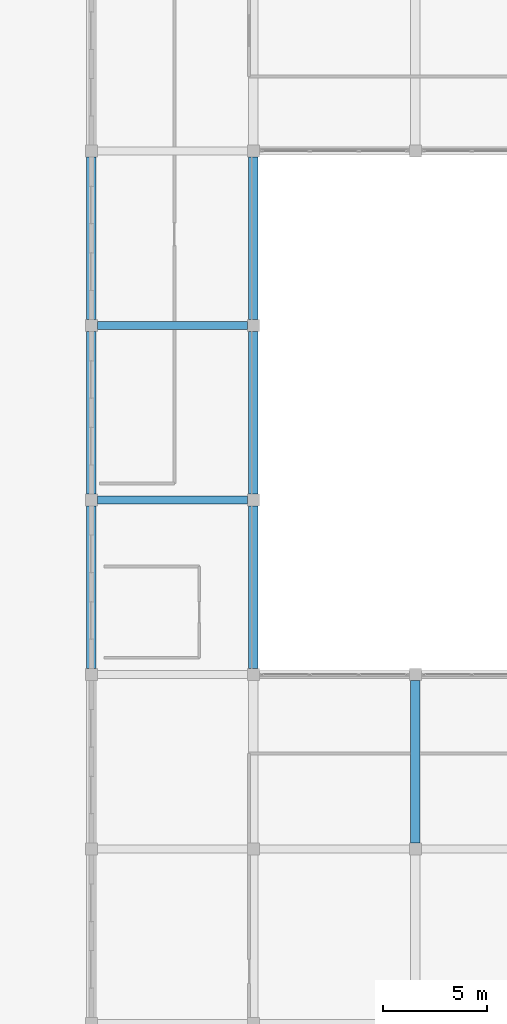
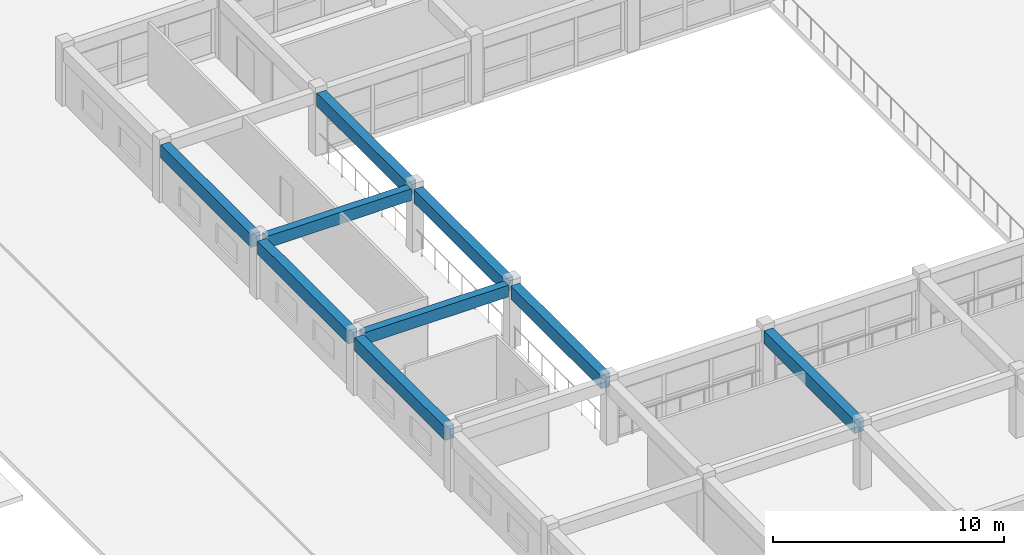
# One storey, part 60 of 101: 9 beams.
"""IFC4 building model written with IfcOpenShell, lengths in metres."""

from ifc_helpers import new_model, si_unit, direction, frame, origin, origin_2d, place, context, subcontext, project, spatial, rectangle, extrude, material, material_profile, profile_set, type_object, element, save


model = new_model("IFC4")

# Units and contexts
model_context = context("Model", 3, precision=1e-05, world=origin(), true_north=direction((0.0, 1.0)))
body_context = subcontext(model_context, "Body", "Model", "MODEL_VIEW")
ifc_project = project(units=[si_unit("LENGTHUNIT", "METRE"), si_unit("AREAUNIT", "SQUARE_METRE"), si_unit("VOLUMEUNIT", "CUBIC_METRE"), si_unit("PLANEANGLEUNIT", "RADIAN"), si_unit("MASSUNIT", "GRAM", prefix="KILO")], contexts=[model_context])

# Site, building, storey
site_placement = place(None, origin())
site = spatial("IfcSite", under=ifc_project, at=site_placement, CompositionType="ELEMENT")
building_placement = place(site_placement, origin())
building = spatial("IfcBuilding", under=site, at=building_placement, Name="Zizhar Promenade General Hospital", CompositionType="ELEMENT")
storey_placement = place(building_placement, frame((0.0, 0.0, 14.39990234375)))
storey = spatial("IfcBuildingStorey", under=building, at=storey_placement, Name="L03", CompositionType="ELEMENT", Elevation=14.39990234375)

# Beams
ifc_material_1 = material(Name="Concrete C35/45", Category="concrete")
ifc_material_profile_1 = material_profile(ifc_material_1, rectangle(XDim=0.3798828125, YDim=0.6201171875, at=origin_2d()))
ifc_profile_set_1 = profile_set([ifc_material_profile_1], Name="Concrete C35/45")
beam_type_1 = type_object("IfcBeamType", Name="BM-RC-380x620", PredefinedType="JOIST", material=ifc_profile_set_1)
for number, where, z_axis, x_axis, name in (
    (1, (140.68994140625, 75.60009765625, 3.0), (1.0, 0.0, 0.0), (0.0, 1.0, 0.0), "Grid Beam X L03 (18-9)"),
    (2, (140.68994140625, 84.0, 3.0), (1.0, 0.0, 0.0), (0.0, 1.0, 0.0), "Grid Beam X L03 (18-10)"),
):
    element("IfcBeam", number, at=place(storey_placement, frame(where, z_axis=z_axis, x_axis=x_axis)), inside=storey, type_object=beam_type_1, Name=name, PredefinedType="JOIST", context=body_context, shape_type="SweptSolid", body=[
        extrude(rectangle(XDim=0.3798828125, YDim=0.6201171875, at=origin_2d()), origin(), (0.0, 0.0, 1.0), 7.219970703125),
    ])
ifc_material_2 = material(Name="Concrete C35/45", Category="concrete")
ifc_material_profile_2 = material_profile(ifc_material_2, rectangle(XDim=0.449951171875, YDim=0.699951171875, at=origin_2d()))
ifc_profile_set_2 = profile_set([ifc_material_profile_2], Name="Concrete C35/45")
beam_type_2 = type_object("IfcBeamType", Name="BM-RC-450x700", PredefinedType="BEAM", material=ifc_profile_set_2)
for number, where, z_axis, x_axis, name in (
    (3, (140.39990234375, 67.489990234375, 2.960205078125), (0.0, 1.0, 0.0), (-1.0, 0.0, 0.0), "Grid Beam Y L03 (18-8)"),
    (4, (140.39990234375, 75.889892578125, 2.960205078125), (0.0, 1.0, 0.0), (-1.0, 0.0, 0.0), "Grid Beam Y L03 (18-9)"),
    (5, (140.39990234375, 84.2900390625, 2.960205078125), (0.0, 1.0, 0.0), (-1.0, 0.0, 0.0), "Grid Beam Y L03 (18-10)"),
    (6, (148.199951171875, 67.489990234375, 2.960205078125), (0.0, 1.0, 0.0), (-1.0, 0.0, 0.0), "Grid Beam Y L03 (19-8)"),
    (7, (148.199951171875, 75.889892578125, 2.960205078125), (0.0, 1.0, 0.0), (-1.0, 0.0, 0.0), "Grid Beam Y L03 (19-9)"),
    (8, (148.199951171875, 84.2900390625, 2.960205078125), (0.0, 1.0, 0.0), (-1.0, 0.0, 0.0), "Grid Beam Y L03 (19-10)"),
):
    element("IfcBeam", number, at=place(storey_placement, frame(where, z_axis=z_axis, x_axis=x_axis)), inside=storey, type_object=beam_type_2, Name=name, PredefinedType="BEAM", context=body_context, shape_type="SweptSolid", body=[
        extrude(rectangle(XDim=0.449951171875, YDim=0.699951171875, at=origin_2d()), origin(), (0.0, 0.0, 1.0), 7.820068359375),
    ])
beam_placement = place(storey_placement, frame((156.0, 59.090087890625, 2.960205078125), z_axis=(0.0, 1.0, 0.0), x_axis=(-1.0, 0.0, 0.0)))
element("IfcBeam", 9, at=beam_placement, inside=storey, type_object=beam_type_2, Name="Grid Beam Y L03 (20-7)", PredefinedType="BEAM", context=body_context, shape_type="SweptSolid", body=[
    extrude(rectangle(XDim=0.449951171875, YDim=0.699951171875, at=origin_2d()), origin(), (0.0, 0.0, 1.0), 7.81982421875),
])

save(model, "model.ifc")
